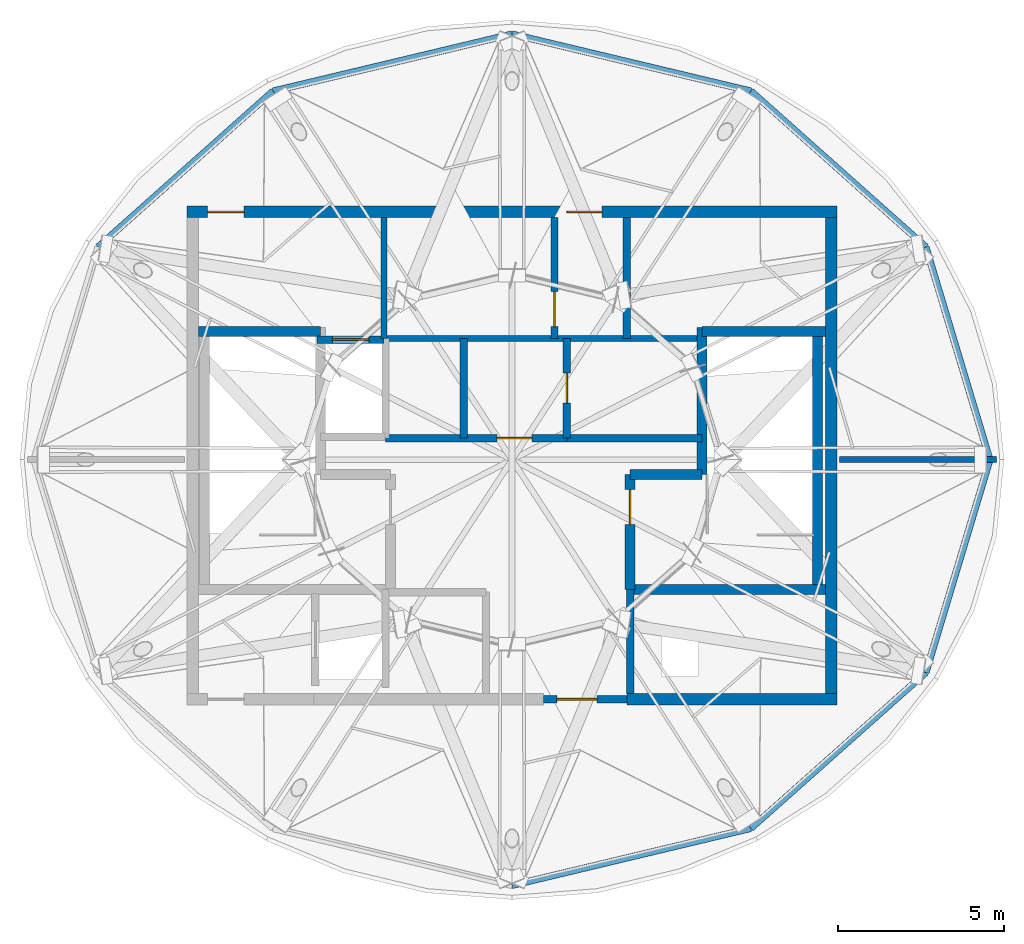
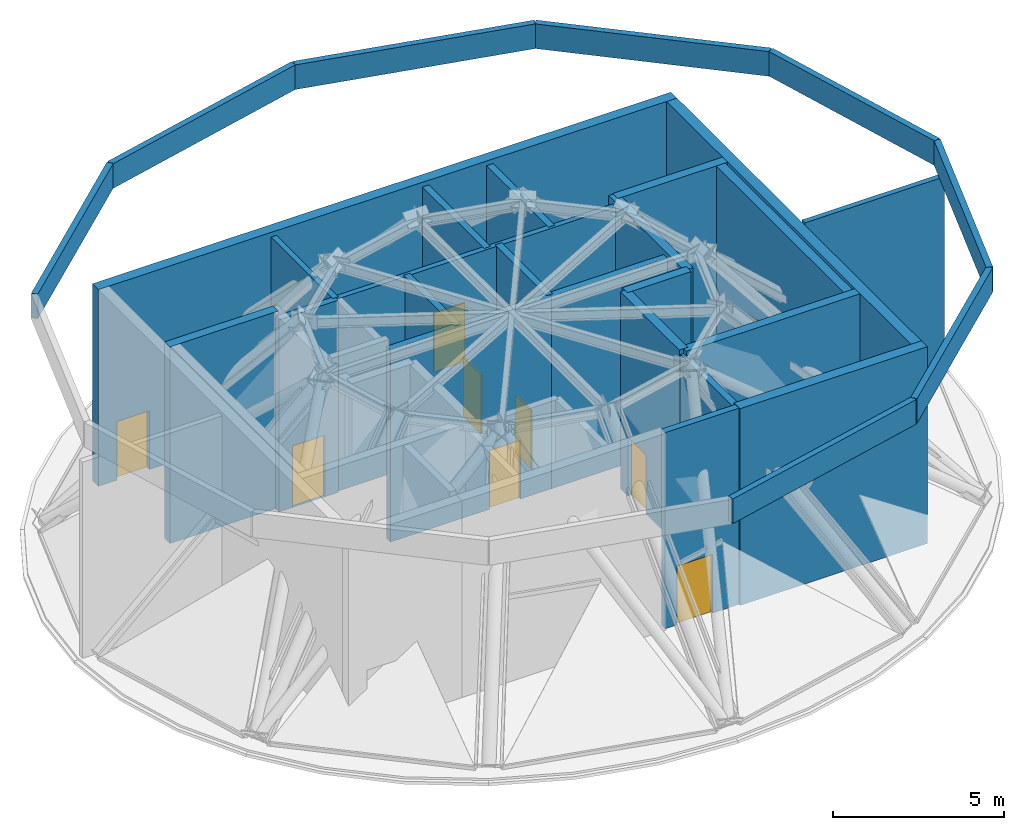
# One storey, part 5 of 6: 30 walls, 8 doors, 8 openings.
"""IFC4 building model written with IfcOpenShell, lengths in metres."""

import ifcopenshell
import ifcopenshell.guid

model = None  # the IFC model being written
_history = None  # IfcOwnerHistory: only IFC2X3 demands one
_inside = {}  # id of a spatial element -> (the spatial element, [elements in it])
_under = {}  # id of a project, library or spatial element -> (it, [spatial elements below it])
_declared = {}  # id of a project -> (the project, [libraries it declares])
_typed = {}  # id of a type object -> (the type object, [elements of that type])
_made_of = {}  # id of a material, layer set ... -> (it, [elements and type objects made of it])


def new_model(schema):
    """Start an empty IFC model of exactly this schema.

    Asked for "IFC4X3", IfcOpenShell would pick the latest addendum, in which some entities
    have other attributes; the version numbers below select the first issue.
    IFC2X3 requires an IfcOwnerHistory on every rooted entity: one is made here for all.
    """
    global model, _history
    if schema == "IFC4X3":
        model = ifcopenshell.file(schema_version=(4, 3, 0, 0))
    else:
        model = ifcopenshell.file(schema=schema)
    _inside.clear()
    _under.clear()
    _declared.clear()
    _typed.clear()
    _made_of.clear()
    _history = None
    if model.schema == "IFC2X3":
        org = make("IfcOrganization", Name="unknown")
        user = make(
            "IfcPersonAndOrganization",
            ThePerson=make("IfcPerson", FamilyName="unknown"),
            TheOrganization=org,
        )
        app = make(
            "IfcApplication",
            ApplicationDeveloper=org,
            Version="unknown",
            ApplicationFullName="unknown",
            ApplicationIdentifier="unknown",
        )
        _history = make(
            "IfcOwnerHistory",
            OwningUser=user,
            OwningApplication=app,
            ChangeAction="ADDED",
            CreationDate=0,
        )
    return model


def make(cls, **values):
    """One entity of the class cls with the attributes given. An attribute that is None is left unset."""
    return model.create_entity(
        cls, **{name: value for name, value in values.items() if value is not None}
    )


def rooted(cls, **values):
    """An entity with a GlobalId (a new one), such as an element, a storey or a relation."""
    return make(cls, GlobalId=ifcopenshell.guid.new(), OwnerHistory=_history, **values)


def si_unit(unit_type, name, prefix=None):
    """IfcSIUnit, for example si_unit("LENGTHUNIT", "METRE", prefix="MILLI")."""
    return make("IfcSIUnit", UnitType=unit_type, Prefix=prefix, Name=name)


def assignment(units):
    """IfcUnitAssignment: the units of a project."""
    return None if units is None else make("IfcUnitAssignment", Units=units)


def point(xyz):
    """IfcCartesianPoint."""
    return None if xyz is None else make("IfcCartesianPoint", Coordinates=xyz)


def direction(xyz):
    """IfcDirection."""
    return None if xyz is None else make("IfcDirection", DirectionRatios=xyz)


def frame(location, z_axis=None, x_axis=None):
    """IfcAxis2Placement3D, a coordinate frame: its origin and axes. An axis left out is left unset."""
    return make(
        "IfcAxis2Placement3D",
        Location=point(location),
        Axis=direction(z_axis),
        RefDirection=direction(x_axis),
    )


def frame_2d(location, x_axis=None):
    """IfcAxis2Placement2D, a coordinate frame in the plane: its origin and x axis."""
    return make(
        "IfcAxis2Placement2D", Location=point(location), RefDirection=direction(x_axis)
    )


def origin():
    """The frame at (0, 0, 0) with its axes left unset."""
    return frame((0.0, 0.0, 0.0))


def place(relative_to, where):
    """IfcLocalPlacement: puts the frame where relative to a parent placement (None: the world)."""
    return make(
        "IfcLocalPlacement", PlacementRelTo=relative_to, RelativePlacement=where
    )


def context(
    kind, dimensions, precision=None, world=None, true_north=None, identifier=None
):
    """IfcGeometricRepresentationContext, for example the 3D "Model" context."""
    return make(
        "IfcGeometricRepresentationContext",
        ContextIdentifier=identifier,
        ContextType=kind,
        CoordinateSpaceDimension=dimensions,
        Precision=precision,
        WorldCoordinateSystem=world,
        TrueNorth=true_north,
    )


def subcontext(parent, identifier, kind, view, scale=None):
    """IfcGeometricRepresentationSubContext, for example "Body" below "Model"."""
    return make(
        "IfcGeometricRepresentationSubContext",
        ContextIdentifier=identifier,
        ContextType=kind,
        ParentContext=parent,
        TargetScale=scale,
        TargetView=view,
    )


def project(units=None, contexts=None):
    """IfcProject with its units and contexts."""
    return rooted(
        "IfcProject",
        Name="project",
        RepresentationContexts=contexts,
        UnitsInContext=assignment(units),
    )


def spatial(cls, under=None, at=None, **own):
    """A site, building, storey or space (cls), placed at a placement, below another one or the project."""
    s = rooted(cls, ObjectPlacement=at, **own)
    if under is not None:
        _under.setdefault(under.id(), (under, []))[1].append(s)
    return s


def profile(cls, at=None, kind="AREA", **sizes):
    """A parametric profile (cls). Its sizes go by their IFC names, for example OverallWidth=200.0."""
    return make(cls, ProfileType=kind, Position=at, **sizes)


def rectangle(**sizes):
    """IfcRectangleProfileDef."""
    return profile("IfcRectangleProfileDef", **sizes)


def extrude(swept, where, along, depth):
    """IfcExtrudedAreaSolid: the profile swept, set in the frame where, extruded along a direction by depth."""
    return make(
        "IfcExtrudedAreaSolid",
        SweptArea=swept,
        Position=where,
        ExtrudedDirection=direction(along),
        Depth=depth,
    )


def shape(context_of_items, identifier, shape_type, items):
    """IfcShapeRepresentation: the items that make up one representation, for example the "Body"."""
    return make(
        "IfcShapeRepresentation",
        ContextOfItems=context_of_items,
        RepresentationIdentifier=identifier,
        RepresentationType=shape_type,
        Items=items,
    )


def material(Name=None, Category=None):
    """IfcMaterial."""
    return make("IfcMaterial", Name=Name, Category=Category)


def layer(
    of_material, thickness, ventilated=None, Name=None, Category=None, Priority=None
):
    """IfcMaterialLayer: one layer of a wall or slab, of a material (None: an air gap)."""
    return make(
        "IfcMaterialLayer",
        Material=of_material,
        LayerThickness=thickness,
        IsVentilated=ventilated,
        Name=Name,
        Category=Category,
        Priority=Priority,
    )


def layer_set(layers, Name=None):
    """IfcMaterialLayerSet."""
    return make("IfcMaterialLayerSet", MaterialLayers=layers, LayerSetName=Name)


def made_of(thing, what):
    """Note that an element or type object is made of a material, layer set ...; save() writes the relation."""
    if what is not None:
        _made_of.setdefault(what.id(), (what, []))[1].append(thing)
    return thing


def type_object(cls, material=None, **own):
    """A type object (cls), such as IfcWallType, which elements share."""
    return made_of(rooted(cls, **own), material)


def element(
    cls,
    number,
    at=None,
    inside=None,
    cuts=None,
    type_object=None,
    material=None,
    context=None,
    identifier="Body",
    shape_type=None,
    held_by="IfcProductDefinitionShape",
    body=None,
    shapes=None,
    **own,
):
    """One element of the class cls, such as IfcWall. Its Tag is "e" and its number.

    at: its placement. inside: the storey or other place that contains it. cuts: it is an
    opening in that element (IfcRelVoidsElement). A single representation is given by context,
    identifier, shape_type and body (its items); several are given by shapes. held_by: the class
    of the entity that holds the representations. save() writes the other relations.
    """
    e = rooted(cls, Tag="e%d" % number, ObjectPlacement=at, **own)
    if body is not None:
        shapes = [shape(context, identifier, shape_type, body)]
    if shapes is not None:
        e.Representation = make(held_by, Representations=shapes)
    if inside is not None:
        _inside.setdefault(inside.id(), (inside, []))[1].append(e)
    if cuts is not None:
        rooted(
            "IfcRelVoidsElement", RelatingBuildingElement=cuts, RelatedOpeningElement=e
        )
    if type_object is not None:
        _typed.setdefault(type_object.id(), (type_object, []))[1].append(e)
    return made_of(e, material)


def fill(opening, filler):
    """IfcRelFillsElement: the door or window that sits in an opening."""
    return rooted(
        "IfcRelFillsElement",
        RelatingOpeningElement=opening,
        RelatedBuildingElement=filler,
    )


def aggregate(whole, parts):
    """IfcRelAggregates: a whole, such as a stair, and the parts it consists of."""
    return rooted("IfcRelAggregates", RelatingObject=whole, RelatedObjects=parts)


def save(model, path):
    """Write the relations noted so far, then the file.

    IfcRelAggregates (storeys below a building ...), IfcRelContainedInSpatialStructure (elements
    in a storey), IfcRelDefinesByType, IfcRelAssociatesMaterial and IfcRelDeclares: one each for
    every whole, place, type object, material and project.
    """
    for whole, parts in _under.values():
        aggregate(whole, parts)
    for where, things in _inside.values():
        rooted(
            "IfcRelContainedInSpatialStructure",
            RelatedElements=things,
            RelatingStructure=where,
        )
    for kind, things in _typed.values():
        rooted("IfcRelDefinesByType", RelatedObjects=things, RelatingType=kind)
    for what, things in _made_of.values():
        rooted("IfcRelAssociatesMaterial", RelatedObjects=things, RelatingMaterial=what)
    for by, libraries in _declared.values():
        rooted("IfcRelDeclares", RelatingContext=by, RelatedDefinitions=libraries)
    model.write(path)


model = new_model("IFC4")

# Units and contexts
model_context = context("Model", 3, precision=1e-05, world=origin(), true_north=direction((0.0, 1.0)))
body_context = subcontext(model_context, "Body", "Model", "MODEL_VIEW")
ifc_project = project(units=[si_unit("LENGTHUNIT", "METRE"), si_unit("AREAUNIT", "SQUARE_METRE"), si_unit("VOLUMEUNIT", "CUBIC_METRE"), si_unit("PLANEANGLEUNIT", "RADIAN"), si_unit("MASSUNIT", "GRAM", prefix="KILO")], contexts=[model_context])

# Site, building, storey
site_placement = place(None, origin())
site = spatial("IfcSite", under=ifc_project, at=site_placement, CompositionType="ELEMENT")
building_placement = place(site_placement, origin())
building = spatial("IfcBuilding", under=site, at=building_placement, Name="Vantalir Tower", CompositionType="ELEMENT")
storey_placement = place(building_placement, frame((0.0, 0.0, 340.75)))
storey = spatial("IfcBuildingStorey", under=building, at=storey_placement, Name="L81", CompositionType="ELEMENT", Elevation=340.75)

# Wall
ifc_material_1 = material(Name="Concrete C50/60", Category="concrete")
ifc_layer_1 = layer(ifc_material_1, 0.35009765625)
ifc_layer_set_1 = layer_set([ifc_layer_1], Name="Concrete C50/60")
wall_type_1 = type_object("IfcWallType", Name="WL-CORE-350", PredefinedType="SHEAR", material=ifc_layer_set_1)
wall_1_placement = place(storey_placement, frame((34.949951171875, 17.800048828125, 0.0), z_axis=(0.0, 0.0, 1.0), x_axis=(1.0, 0.0, 0.0)))
element("IfcWall", 1, at=wall_1_placement, inside=storey, type_object=wall_type_1, Name="L81 Core Shear Wall South-East", PredefinedType="SHEAR", context=body_context, shape_type="SweptSolid", body=[
    extrude(rectangle(XDim=6.324951171875, YDim=0.35009765625, at=frame_2d((3.16259765625, 0.0))), origin(), (0.0, 0.0, 1.0), 7.030029296875),
])

# Wall, openings, doors
wall_2_placement = place(storey_placement, frame((21.72509765625, 32.449951171875, 0.0), z_axis=(0.0, 0.0, 1.0), x_axis=(1.0, 0.0, 0.0)))
wall_2 = element("IfcWall", 2, at=wall_2_placement, inside=storey, type_object=wall_type_1, Name="L81 Core Shear Wall North", PredefinedType="SHEAR", context=body_context, shape_type="SweptSolid", body=[
    extrude(rectangle(XDim=19.5498046875, YDim=0.35009765625, at=frame_2d((9.77490234375, 0.0))), origin(), (0.0, 0.0, 1.0), 7.030029296875),
])
opening_1_placement = place(wall_2_placement, frame((0.625, 0.0, 0.0)))
opening_1 = element("IfcOpeningElement", 3, at=opening_1_placement, cuts=wall_2, Name="Opening D-FFL", PredefinedType="OPENING", context=body_context, shape_type="SweptSolid", body=[
    extrude(rectangle(XDim=1.10009765625, YDim=2.10009765625, at=frame_2d((0.550048828125, 1.050048828125))), frame((0.0, 0.18505859375, 0.0), z_axis=(0.0, -1.0, 0.0), x_axis=(1.0, 0.0, 0.0)), (0.0, 0.0, 1.0), 0.3701171875),
])
opening_2_placement = place(wall_2_placement, frame((11.425048828125, 0.0, 0.0)))
opening_2 = element("IfcOpeningElement", 4, at=opening_2_placement, cuts=wall_2, Name="Opening D-ST", PredefinedType="OPENING", context=body_context, shape_type="SweptSolid", body=[
    extrude(rectangle(XDim=1.050048828125, YDim=2.10009765625, at=frame_2d((0.52490234375, 1.050048828125))), frame((0.0, 0.18505859375, 0.0), z_axis=(0.0, -1.0, 0.0), x_axis=(1.0, 0.0, 0.0)), (0.0, 0.0, 1.0), 0.3701171875),
])
ifc_material_2 = material(Name="Fire-rated acoustic steel door", Category="steel")
door_type_1 = type_object("IfcDoorType", Name="DR-FIRE-LOBBY-1100", OperationType="NOTDEFINED", PredefinedType="DOOR", material=ifc_material_2)
door_1_placement = place(opening_1_placement, frame((1.10009765625, 0.0, 0.0), z_axis=(0.0, 0.0, 1.0), x_axis=(-1.0, 0.0, 0.0)))
door_1 = element("IfcDoor", 5, at=door_1_placement, inside=storey, type_object=door_type_1, Name="L81 Firefighting Lobby East Access Door", OperationType="SINGLE_SWING_LEFT", OverallHeight=2.10009765625, OverallWidth=1.10009765625, PredefinedType="DOOR", context=body_context, shape_type="SweptSolid", body=[
    extrude(rectangle(XDim=1.10009765625, YDim=2.10009765625, at=frame_2d((0.550048828125, 1.050048828125))), frame((0.0, 0.02490234375, 0.0), z_axis=(0.0, -1.0, 0.0), x_axis=(1.0, 0.0, 0.0)), (0.0, 0.0, 1.0), 0.050048828125),
])
fill(opening_1, door_1)
ifc_material_3 = material(Name="Fire-rated steel door leaf", Category="steel")
door_type_2 = type_object("IfcDoorType", Name="DR-FIRE-STAIR-1050", OperationType="NOTDEFINED", PredefinedType="DOOR", material=ifc_material_3)
door_2_placement = place(opening_2_placement, frame((1.050048828125, 0.0, 0.0), z_axis=(0.0, 0.0, 1.0), x_axis=(-1.0, 0.0, 0.0)))
door_2 = element("IfcDoor", 6, at=door_2_placement, inside=storey, type_object=door_type_2, Name="L81 North Crown Passage Link Door", OperationType="SINGLE_SWING_RIGHT", OverallHeight=2.10009765625, OverallWidth=1.050048828125, PredefinedType="DOOR", context=body_context, shape_type="SweptSolid", body=[
    extrude(rectangle(XDim=1.050048828125, YDim=2.10009765625, at=frame_2d((0.52490234375, 1.050048828125))), frame((0.0, 0.02490234375, 0.0), z_axis=(0.0, -1.0, 0.0), x_axis=(1.0, 0.0, 0.0)), (0.0, 0.0, 1.0), 0.050048828125),
])
fill(opening_2, door_2)

# Wall
wall_3_placement = place(storey_placement, frame((41.10009765625, 17.97509765625, 0.0), z_axis=(0.0, 0.0, 1.0), x_axis=(0.0, 1.0, 0.0)))
element("IfcWall", 7, at=wall_3_placement, inside=storey, type_object=wall_type_1, Name="L81 Core Shear Wall East", PredefinedType="SHEAR", context=body_context, shape_type="SweptSolid", body=[
    extrude(rectangle(XDim=14.2998046875, YDim=0.35009765625, at=frame_2d((7.14990234375, 0.0))), origin(), (0.0, 0.0, 1.0), 7.030029296875),
])

# Wall, opening, door
ifc_material_4 = material(Name="Concrete blockwork with fireboard lining", Category="masonry")
ifc_layer_2 = layer(ifc_material_4, 0.219970703125)
ifc_layer_set_2 = layer_set([ifc_layer_2], Name="Concrete blockwork with fireboard lining")
wall_type_2 = type_object("IfcWallType", Name="WL-FFL-220", PredefinedType="PARTITIONING", material=ifc_layer_set_2)
wall_4_placement = place(storey_placement, frame((32.449951171875, 17.800048828125, 0.0), z_axis=(0.0, 0.0, 1.0), x_axis=(1.0, 0.0, 0.0)))
wall_4 = element("IfcWall", 8, at=wall_4_placement, inside=storey, type_object=wall_type_2, Name="L81 Passenger Lift Lobby South Wall", PredefinedType="PARTITIONING", context=body_context, shape_type="SweptSolid", body=[
    extrude(rectangle(XDim=2.5, YDim=0.219970703125, at=frame_2d((1.25, 0.0))), origin(), (0.0, 0.0, 1.0), 7.010009765625),
])
opening_3_placement = place(wall_4_placement, frame((0.39990234375, 0.0, 0.0)))
opening_3 = element("IfcOpeningElement", 9, at=opening_3_placement, cuts=wall_4, Name="Opening D-STE", PredefinedType="OPENING", context=body_context, shape_type="SweptSolid", body=[
    extrude(rectangle(XDim=1.199951171875, YDim=2.10009765625, at=frame_2d((0.60009765625, 1.050048828125))), frame((0.0, 0.119873046875, 0.0), z_axis=(0.0, -1.0, 0.0), x_axis=(1.0, 0.0, 0.0)), (0.0, 0.0, 1.0), 0.239990234375),
])
ifc_material_5 = material(Name="Solid-core teak veneer suite entrance door", Category="wood")
door_type_3 = type_object("IfcDoorType", Name="DR-SUITE-ENTRY-1200", OperationType="NOTDEFINED", PredefinedType="DOOR", material=ifc_material_5)
door_3_placement = place(opening_3_placement, origin())
door_3 = element("IfcDoor", 10, at=door_3_placement, inside=storey, type_object=door_type_3, Name="L81 Passenger Lift Lobby Concourse Door", OperationType="SINGLE_SWING_RIGHT", OverallHeight=2.10009765625, OverallWidth=1.199951171875, PredefinedType="DOOR", context=body_context, shape_type="SweptSolid", body=[
    extrude(rectangle(XDim=1.199951171875, YDim=2.10009765625, at=frame_2d((0.60009765625, 1.050048828125))), frame((0.0, 0.02490234375, 0.0), z_axis=(0.0, -1.0, 0.0), x_axis=(1.0, 0.0, 0.0)), (0.0, 0.0, 1.0), 0.050048828125),
])
fill(opening_3, door_3)

# Wall
wall_5_placement = place(storey_placement, frame((35.050048828125, 17.97509765625, 0.0), z_axis=(0.0, 0.0, 1.0), x_axis=(0.0, 1.0, 0.0)))
element("IfcWall", 11, at=wall_5_placement, inside=storey, type_object=wall_type_2, Name="L81 East Crown Riser West Wall", PredefinedType="PARTITIONING", context=body_context, shape_type="SweptSolid", body=[
    extrude(rectangle(XDim=3.125, YDim=0.219970703125, at=frame_2d((1.5625, 0.0))), origin(), (0.0, 0.0, 1.0), 6.866943359375),
])

# Wall, opening, door
wall_6_placement = place(storey_placement, frame((25.639892578125, 28.610107421875, 0.0), z_axis=(0.0, 0.0, 1.0), x_axis=(1.0, 0.0, 0.0)))
wall_6 = element("IfcWall", 12, at=wall_6_placement, inside=storey, type_object=wall_type_2, Name="L81 Lift FL2 Shaft Front Wall", PredefinedType="PARTITIONING", context=body_context, shape_type="SweptSolid", body=[
    extrude(rectangle(XDim=2.02001953125, YDim=0.219970703125, at=frame_2d((1.010009765625, 0.0))), origin(), (0.0, 0.0, 1.0), 6.866943359375),
])
opening_4_placement = place(wall_6_placement, frame((0.4599609375, 0.0, 0.0)))
opening_4 = element("IfcOpeningElement", 13, at=opening_4_placement, cuts=wall_6, Name="Opening LD-FL2", PredefinedType="OPENING", context=body_context, shape_type="SweptSolid", body=[
    extrude(rectangle(XDim=1.10009765625, YDim=2.199951171875, at=frame_2d((0.550048828125, 1.10009765625))), frame((0.0, 0.119873046875, 0.0), z_axis=(0.0, -1.0, 0.0), x_axis=(1.0, 0.0, 0.0)), (0.0, 0.0, 1.0), 0.239990234375),
])
ifc_material_6 = material(Name="Brushed stainless-steel sliding lift landing door", Category="steel")
door_type_4 = type_object("IfcDoorType", Name="DR-LIFT-LANDING-1100", OperationType="DOUBLE_DOOR_SLIDING", PredefinedType="DOOR", material=ifc_material_6)
door_4_placement = place(opening_4_placement, origin())
door_4 = element("IfcDoor", 14, at=door_4_placement, inside=storey, type_object=door_type_4, Name="L81 Lift Landing Door FL2", OperationType="DOUBLE_DOOR_SLIDING", OverallHeight=2.199951171875, OverallWidth=1.10009765625, PredefinedType="DOOR", context=body_context, shape_type="SweptSolid", body=[
    extrude(rectangle(XDim=1.10009765625, YDim=2.199951171875, at=frame_2d((0.550048828125, 1.10009765625))), frame((0.0, 0.02490234375, 0.0), z_axis=(0.0, -1.0, 0.0), x_axis=(1.0, 0.0, 0.0)), (0.0, 0.0, 1.0), 0.050048828125),
])
fill(opening_4, door_4)

wall_7_placement = place(storey_placement, frame((32.780029296875, 28.64990234375, 0.0), z_axis=(0.0, 0.0, 1.0), x_axis=(0.0, 1.0, 0.0)))
wall_7 = element("IfcWall", 15, at=wall_7_placement, inside=storey, type_object=wall_type_2, Name="L81 Core Plant Link West Wall", PredefinedType="PARTITIONING", context=body_context, shape_type="SweptSolid", body=[
    extrude(rectangle(XDim=3.625, YDim=0.219970703125, at=frame_2d((1.8125, 0.0))), origin(), (0.0, 0.0, 1.0), 6.866943359375),
])
opening_5_placement = place(wall_7_placement, frame((0.35009765625, 0.0, 0.0)))
opening_5 = element("IfcOpeningElement", 16, at=opening_5_placement, cuts=wall_7, Name="Opening D-ST", PredefinedType="OPENING", context=body_context, shape_type="SweptSolid", body=[
    extrude(rectangle(XDim=1.050048828125, YDim=2.10009765625, at=frame_2d((0.52490234375, 1.050048828125))), frame((0.0, 0.119873046875, 0.0), z_axis=(0.0, -1.0, 0.0), x_axis=(1.0, 0.0, 0.0)), (0.0, 0.0, 1.0), 0.239990234375),
])
door_5_placement = place(opening_5_placement, origin())
door_5 = element("IfcDoor", 17, at=door_5_placement, inside=storey, type_object=door_type_2, Name="L81 Crown Telemetry Plant Door", OperationType="SINGLE_SWING_LEFT", OverallHeight=2.10009765625, OverallWidth=1.050048828125, PredefinedType="DOOR", context=body_context, shape_type="SweptSolid", body=[
    extrude(rectangle(XDim=1.050048828125, YDim=2.10009765625, at=frame_2d((0.52490234375, 1.050048828125))), frame((0.0, 0.02490234375, 0.0), z_axis=(0.0, -1.0, 0.0), x_axis=(1.0, 0.0, 0.0)), (0.0, 0.0, 1.0), 0.050048828125),
])
fill(opening_5, door_5)

# Wall
wall_8_placement = place(storey_placement, frame((30.050048828125, 25.64990234375, 0.0), z_axis=(0.0, 0.0, 1.0), x_axis=(0.0, 1.0, 0.0)))
element("IfcWall", 18, at=wall_8_placement, inside=storey, type_object=wall_type_2, Name="L81 Core Plant Lower West Wall", PredefinedType="PARTITIONING", context=body_context, shape_type="SweptSolid", body=[
    extrude(rectangle(XDim=3.0, YDim=0.219970703125, at=frame_2d((1.5, 0.0))), origin(), (0.0, 0.0, 1.0), 6.866943359375),
])

# Wall, opening, door
wall_9_placement = place(storey_placement, frame((27.699951171875, 25.64990234375, 0.0), z_axis=(0.0, 0.0, 1.0), x_axis=(1.0, 0.0, 0.0)))
wall_9 = element("IfcWall", 19, at=wall_9_placement, inside=storey, type_object=wall_type_2, Name="L81 Core Plant South Lobby Wall", PredefinedType="PARTITIONING", context=body_context, shape_type="SweptSolid", body=[
    extrude(rectangle(XDim=5.449951171875, YDim=0.219970703125, at=frame_2d((2.72509765625, 0.0))), origin(), (0.0, 0.0, 1.0), 6.866943359375),
])
opening_6_placement = place(wall_9_placement, frame((3.35009765625, 0.0, 0.0)))
opening_6 = element("IfcOpeningElement", 20, at=opening_6_placement, cuts=wall_9, Name="Opening D-ST", PredefinedType="OPENING", context=body_context, shape_type="SweptSolid", body=[
    extrude(rectangle(XDim=1.050048828125, YDim=2.10009765625, at=frame_2d((0.52490234375, 1.050048828125))), frame((0.0, 0.119873046875, 0.0), z_axis=(0.0, -1.0, 0.0), x_axis=(1.0, 0.0, 0.0)), (0.0, 0.0, 1.0), 0.239990234375),
])
door_6_placement = place(opening_6_placement, frame((1.050048828125, 0.0, 0.0), z_axis=(0.0, 0.0, 1.0), x_axis=(-1.0, 0.0, 0.0)))
door_6 = element("IfcDoor", 21, at=door_6_placement, inside=storey, type_object=door_type_2, Name="L81 Core Plant Passage Lobby Door", OperationType="SINGLE_SWING_LEFT", OverallHeight=2.10009765625, OverallWidth=1.050048828125, PredefinedType="DOOR", context=body_context, shape_type="SweptSolid", body=[
    extrude(rectangle(XDim=1.050048828125, YDim=2.10009765625, at=frame_2d((0.52490234375, 1.050048828125))), frame((0.0, 0.02490234375, 0.0), z_axis=(0.0, -1.0, 0.0), x_axis=(1.0, 0.0, 0.0)), (0.0, 0.0, 1.0), 0.050048828125),
])
fill(opening_6, door_6)

wall_10_placement = place(storey_placement, frame((33.14990234375, 25.64990234375, 0.0), z_axis=(0.0, 0.0, 1.0), x_axis=(0.0, 1.0, 0.0)))
wall_10 = element("IfcWall", 22, at=wall_10_placement, inside=storey, type_object=wall_type_2, Name="L81 Crown Emergency Switchroom West Wall", PredefinedType="PARTITIONING", context=body_context, shape_type="SweptSolid", body=[
    extrude(rectangle(XDim=3.0, YDim=0.219970703125, at=frame_2d((1.5, 0.0))), origin(), (0.0, 0.0, 1.0), 6.866943359375),
])
opening_7_placement = place(wall_10_placement, frame((1.050048828125, 0.0, 0.0)))
opening_7 = element("IfcOpeningElement", 23, at=opening_7_placement, cuts=wall_10, Name="Opening D-CR", PredefinedType="OPENING", context=body_context, shape_type="SweptSolid", body=[
    extrude(rectangle(XDim=0.89990234375, YDim=2.10009765625, at=frame_2d((0.449951171875, 1.050048828125))), frame((0.0, 0.119873046875, 0.0), z_axis=(0.0, -1.0, 0.0), x_axis=(1.0, 0.0, 0.0)), (0.0, 0.0, 1.0), 0.239990234375),
])
ifc_material_7 = material(Name="Fire-rated steel core service door", Category="steel")
door_type_5 = type_object("IfcDoorType", Name="DR-CORE-SERV-900", OperationType="NOTDEFINED", PredefinedType="DOOR", material=ifc_material_7)
door_7_placement = place(opening_7_placement, frame((0.89990234375, 0.0, 0.0), z_axis=(0.0, 0.0, 1.0), x_axis=(-1.0, 0.0, 0.0)))
door_7 = element("IfcDoor", 24, at=door_7_placement, inside=storey, type_object=door_type_5, Name="L81 Crown Emergency Switchroom Door", OperationType="SINGLE_SWING_RIGHT", OverallHeight=2.10009765625, OverallWidth=0.89990234375, PredefinedType="DOOR", context=body_context, shape_type="SweptSolid", body=[
    extrude(rectangle(XDim=0.89990234375, YDim=2.10009765625, at=frame_2d((0.449951171875, 1.050048828125))), frame((0.0, 0.02490234375, 0.0), z_axis=(0.0, -1.0, 0.0), x_axis=(1.0, 0.0, 0.0)), (0.0, 0.0, 1.0), 0.050048828125),
])
fill(opening_7, door_7)

# Walls
wall_11_placement = place(storey_placement, frame((33.14990234375, 25.64990234375, 0.0), z_axis=(0.0, 0.0, 1.0), x_axis=(1.0, 0.0, 0.0)))
element("IfcWall", 25, at=wall_11_placement, inside=storey, type_object=wall_type_2, Name="L81 Crown Emergency Switchroom South Wall", PredefinedType="PARTITIONING", context=body_context, shape_type="SweptSolid", body=[
    extrude(rectangle(XDim=4.06005859375, YDim=0.219970703125, at=frame_2d((2.030029296875, 0.0))), origin(), (0.0, 0.0, 1.0), 6.866943359375),
])
wall_12_placement = place(storey_placement, frame((34.949951171875, 28.64990234375, 0.0), z_axis=(0.0, 0.0, 1.0), x_axis=(0.0, 1.0, 0.0)))
element("IfcWall", 26, at=wall_12_placement, inside=storey, type_object=wall_type_2, Name="L81 Core Plant Link East Wall", PredefinedType="PARTITIONING", context=body_context, shape_type="SweptSolid", body=[
    extrude(rectangle(XDim=3.625, YDim=0.219970703125, at=frame_2d((1.8125, 0.0))), origin(), (0.0, 0.0, 1.0), 6.866943359375),
])
ifc_material_8 = material(Name="Twin-stud acoustic fire-rated gypsum partition", Category="gypsum")
ifc_layer_3 = layer(ifc_material_8, 0.179931640625)
ifc_layer_set_3 = layer_set([ifc_layer_3], Name="Twin-stud acoustic fire-rated gypsum partition")
wall_type_3 = type_object("IfcWallType", Name="WL-GUEST-180", PredefinedType="PARTITIONING", material=ifc_layer_set_3)
wall_13_placement = place(storey_placement, frame((27.64990234375, 28.64990234375, 0.0), z_axis=(0.0, 0.0, 1.0), x_axis=(1.0, 0.0, 0.0)))
element("IfcWall", 27, at=wall_13_placement, inside=storey, type_object=wall_type_3, Name="L81 Crown Core North Plant South Wall", PredefinedType="PARTITIONING", context=body_context, shape_type="SweptSolid", body=[
    extrude(rectangle(XDim=9.56005859375, YDim=0.179931640625, at=frame_2d((4.780029296875, 0.0))), origin(), (0.0, 0.0, 1.0), 6.866943359375),
])
wall_14_placement = place(storey_placement, frame((27.64990234375, 28.64990234375, 0.0), z_axis=(0.0, 0.0, 1.0), x_axis=(0.0, 1.0, 0.0)))
element("IfcWall", 28, at=wall_14_placement, inside=storey, type_object=wall_type_3, Name="L81 Crown Core North Plant West Wall", PredefinedType="PARTITIONING", context=body_context, shape_type="SweptSolid", body=[
    extrude(rectangle(XDim=3.625, YDim=0.179931640625, at=frame_2d((1.8125, 0.0))), origin(), (0.0, 0.0, 1.0), 6.866943359375),
])
wall_15_placement = place(storey_placement, frame((41.35009765625, 25.0, 0.0), z_axis=(0.0, 0.0, 1.0), x_axis=(1.0, 0.0, 0.0)))
element("IfcWall", 29, at=wall_15_placement, inside=storey, type_object=wall_type_3, Name="L81 Radial Suite Partition 01", PredefinedType="PARTITIONING", context=body_context, shape_type="SweptSolid", body=[
    extrude(rectangle(XDim=4.712890625, YDim=0.179931640625, at=frame_2d((2.3564453125, 0.0))), origin(), (0.0, 0.0, 1.0), 7.010009765625),
])
ifc_material_9 = material(Name="Concrete C40/50 parapet upstand", Category="concrete")
ifc_layer_4 = layer(ifc_material_9, 0.199951171875)
ifc_layer_set_4 = layer_set([ifc_layer_4], Name="Concrete C40/50 parapet upstand")
wall_type_4 = type_object("IfcWallType", Name="WL-PARA-200", PredefinedType="PARAPET", material=ifc_layer_set_4)
wall_16_placement = place(storey_placement, frame((45.864013671875, 25.0, 7.469970703125), z_axis=(0.0, 0.0, 1.0), x_axis=(-0.288072151293, 0.957608706962, 0.0)))
element("IfcWall", 30, at=wall_16_placement, inside=storey, type_object=wall_type_4, Name="Crown Apex Maintenance Parapet 01", PredefinedType="PARAPET", context=body_context, shape_type="SweptSolid", body=[
    extrude(rectangle(XDim=6.67919921875, YDim=0.199951171875, at=frame_2d((3.339599609375, 0.0))), origin(), (0.0, 0.0, 1.0), 0.880126953125),
])
wall_17_placement = place(storey_placement, frame((43.93994140625, 31.39599609375, 7.469970703125), z_axis=(0.0, 0.0, 1.0), x_axis=(-0.74675471061, 0.665099543062, 0.0)))
element("IfcWall", 31, at=wall_17_placement, inside=storey, type_object=wall_type_4, Name="Crown Apex Maintenance Parapet 02", PredefinedType="PARAPET", context=body_context, shape_type="SweptSolid", body=[
    extrude(rectangle(XDim=7.041259765625, YDim=0.199951171875, at=frame_2d((3.5205078125, 0.0))), origin(), (0.0, 0.0, 1.0), 0.880126953125),
])
for number, where, z_axis, x_axis, name in (
    (32, (38.681884765625, 36.0791015625, 7.469970703125), (0.0, 0.0, 1.0), (-0.972687235371, 0.232119672037, 0.0), "Crown Apex Maintenance Parapet 03"),
    (33, (31.5, 37.79296875, 7.469970703125), (0.0, 0.0, 1.0), (-0.972687235371, -0.232119672037, 0.0), "Crown Apex Maintenance Parapet 04"),
):
    element("IfcWall", number, at=place(storey_placement, frame(where, z_axis=z_axis, x_axis=x_axis)), inside=storey, type_object=wall_type_4, Name=name, PredefinedType="PARAPET", context=body_context, shape_type="SweptSolid", body=[
        extrude(rectangle(XDim=7.383544921875, YDim=0.199951171875, at=frame_2d((3.69189453125, 0.0))), origin(), (0.0, 0.0, 1.0), 0.880126953125),
    ])
wall_18_placement = place(storey_placement, frame((24.318115234375, 36.0791015625, 7.469970703125), z_axis=(0.0, 0.0, 1.0), x_axis=(-0.74675471061, -0.665099543062, 0.0)))
element("IfcWall", 34, at=wall_18_placement, inside=storey, type_object=wall_type_4, Name="Crown Apex Maintenance Parapet 05", PredefinedType="PARAPET", context=body_context, shape_type="SweptSolid", body=[
    extrude(rectangle(XDim=7.041259765625, YDim=0.199951171875, at=frame_2d((3.5205078125, 0.0))), origin(), (0.0, 0.0, 1.0), 0.880126953125),
])
wall_19_placement = place(storey_placement, frame((31.5, 12.20703125, 7.469970703125), z_axis=(0.0, 0.0, 1.0), x_axis=(0.972687235371, 0.232119672037, 0.0)))
element("IfcWall", 35, at=wall_19_placement, inside=storey, type_object=wall_type_4, Name="Crown Apex Maintenance Parapet 10", PredefinedType="PARAPET", context=body_context, shape_type="SweptSolid", body=[
    extrude(rectangle(XDim=7.383544921875, YDim=0.199951171875, at=frame_2d((3.69189453125, 0.0))), origin(), (0.0, 0.0, 1.0), 0.880126953125),
])
wall_20_placement = place(storey_placement, frame((38.681884765625, 13.9208984375, 7.469970703125), z_axis=(0.0, 0.0, 1.0), x_axis=(0.746823596803, 0.665022191553, 0.0)))
element("IfcWall", 36, at=wall_20_placement, inside=storey, type_object=wall_type_4, Name="Crown Apex Maintenance Parapet 11", PredefinedType="PARAPET", context=body_context, shape_type="SweptSolid", body=[
    extrude(rectangle(XDim=7.04052734375, YDim=0.199951171875, at=frame_2d((3.520263671875, 0.0))), origin(), (0.0, 0.0, 1.0), 0.880126953125),
])
wall_21_placement = place(storey_placement, frame((43.93994140625, 18.60302734375, 7.469970703125), z_axis=(0.0, 0.0, 1.0), x_axis=(0.288031822869, 0.957620837814, 0.0)))
element("IfcWall", 37, at=wall_21_placement, inside=storey, type_object=wall_type_4, Name="Crown Apex Maintenance Parapet 12", PredefinedType="PARAPET", context=body_context, shape_type="SweptSolid", body=[
    extrude(rectangle(XDim=6.68017578125, YDim=0.199951171875, at=frame_2d((3.340087890625, 0.0))), origin(), (0.0, 0.0, 1.0), 0.880126953125),
])
ifc_layer_5 = layer(ifc_material_1, 0.300048828125)
ifc_layer_set_5 = layer_set([ifc_layer_5], Name="Concrete C50/60")
wall_type_5 = type_object("IfcWallType", Name="WL-STAIR-300", PredefinedType="SHEAR", material=ifc_layer_set_5)
wall_22_placement = place(storey_placement, frame((22.074951171875, 28.85009765625, 0.0), z_axis=(0.0, 0.0, 1.0), x_axis=(1.0, 0.0, 0.0)))
element("IfcWall", 38, at=wall_22_placement, inside=storey, type_object=wall_type_5, Name="L81 Stair ST1 North Wall", PredefinedType="SHEAR", context=body_context, shape_type="SweptSolid", body=[
    extrude(rectangle(XDim=3.6650390625, YDim=0.300048828125, at=frame_2d((1.83251953125, 0.0))), origin(), (0.0, 0.0, 1.0), 7.030029296875),
])
wall_23_placement = place(storey_placement, frame((35.050048828125, 21.10009765625, 0.0), z_axis=(0.0, 0.0, 1.0), x_axis=(1.0, 0.0, 0.0)))
element("IfcWall", 39, at=wall_23_placement, inside=storey, type_object=wall_type_5, Name="L81 Stair ST2 South Wall", PredefinedType="SHEAR", context=body_context, shape_type="SweptSolid", body=[
    extrude(rectangle(XDim=5.875, YDim=0.300048828125, at=frame_2d((2.9375, 0.0))), origin(), (0.0, 0.0, 1.0), 7.030029296875),
])
wall_24_placement = place(storey_placement, frame((37.2099609375, 28.85009765625, 0.0), z_axis=(0.0, 0.0, 1.0), x_axis=(1.0, 0.0, 0.0)))
element("IfcWall", 40, at=wall_24_placement, inside=storey, type_object=wall_type_5, Name="L81 Stair ST2 North Wall", PredefinedType="SHEAR", context=body_context, shape_type="SweptSolid", body=[
    extrude(rectangle(XDim=3.715087890625, YDim=0.300048828125, at=frame_2d((1.857421875, 0.0))), origin(), (0.0, 0.0, 1.0), 7.030029296875),
])
wall_25_placement = place(storey_placement, frame((37.2099609375, 24.550048828125, 0.0), z_axis=(0.0, 0.0, 1.0), x_axis=(0.0, 1.0, 0.0)))
element("IfcWall", 41, at=wall_25_placement, inside=storey, type_object=wall_type_5, Name="L81 Stair ST2 Upper West Wall", PredefinedType="SHEAR", context=body_context, shape_type="SweptSolid", body=[
    extrude(rectangle(XDim=4.419921875, YDim=0.300048828125, at=frame_2d((2.2099609375, 0.0))), origin(), (0.0, 0.0, 1.0), 7.030029296875),
])
wall_26_placement = place(storey_placement, frame((35.050048828125, 24.550048828125, 0.0), z_axis=(0.0, 0.0, 1.0), x_axis=(1.0, 0.0, 0.0)))
element("IfcWall", 42, at=wall_26_placement, inside=storey, type_object=wall_type_5, Name="L81 Stair ST2 Vestibule North Wall", PredefinedType="SHEAR", context=body_context, shape_type="SweptSolid", body=[
    extrude(rectangle(XDim=2.159912109375, YDim=0.300048828125, at=frame_2d((1.080078125, 0.0))), origin(), (0.0, 0.0, 1.0), 7.030029296875),
])

# Wall, opening, door
wall_27_placement = place(storey_placement, frame((35.050048828125, 21.10009765625, 0.0), z_axis=(0.0, 0.0, 1.0), x_axis=(0.0, 1.0, 0.0)))
wall_27 = element("IfcWall", 43, at=wall_27_placement, inside=storey, type_object=wall_type_5, Name="L81 Stair ST2 Vestibule West Wall", PredefinedType="SHEAR", context=body_context, shape_type="SweptSolid", body=[
    extrude(rectangle(XDim=3.449951171875, YDim=0.300048828125, at=frame_2d((1.72509765625, 0.0))), origin(), (0.0, 0.0, 1.0), 7.030029296875),
])
opening_8_placement = place(wall_27_placement, frame((1.949951171875, 0.0, 0.0)))
opening_8 = element("IfcOpeningElement", 44, at=opening_8_placement, cuts=wall_27, Name="Opening D-ST", PredefinedType="OPENING", context=body_context, shape_type="SweptSolid", body=[
    extrude(rectangle(XDim=1.050048828125, YDim=2.10009765625, at=frame_2d((0.52490234375, 1.050048828125))), frame((0.0, 0.159912109375, 0.0), z_axis=(0.0, -1.0, 0.0), x_axis=(1.0, 0.0, 0.0)), (0.0, 0.0, 1.0), 0.320068359375),
])
door_8_placement = place(opening_8_placement, frame((1.050048828125, 0.0, 0.0), z_axis=(0.0, 0.0, 1.0), x_axis=(-1.0, 0.0, 0.0)))
door_8 = element("IfcDoor", 45, at=door_8_placement, inside=storey, type_object=door_type_2, Name="L81 Exit Stair ST2 Fire Door", OperationType="SINGLE_SWING_RIGHT", OverallHeight=2.10009765625, OverallWidth=1.050048828125, PredefinedType="DOOR", context=body_context, shape_type="SweptSolid", body=[
    extrude(rectangle(XDim=1.050048828125, YDim=2.10009765625, at=frame_2d((0.52490234375, 1.050048828125))), frame((0.0, 0.02490234375, 0.0), z_axis=(0.0, -1.0, 0.0), x_axis=(1.0, 0.0, 0.0)), (0.0, 0.0, 1.0), 0.050048828125),
])
fill(opening_8, door_8)

# Wall
wall_28_placement = place(storey_placement, frame((40.68994140625, 21.10009765625, 0.0), z_axis=(0.0, 0.0, 1.0), x_axis=(0.0, 1.0, 0.0)))
element("IfcWall", 46, at=wall_28_placement, inside=storey, type_object=wall_type_5, Name="L81 Stair ST2 East Liner Wall", PredefinedType="SHEAR", context=body_context, shape_type="SweptSolid", body=[
    extrude(rectangle(XDim=7.75, YDim=0.300048828125, at=frame_2d((3.875, 0.0))), origin(), (0.0, 0.0, 1.0), 7.030029296875),
])

save(model, "model.ifc")
